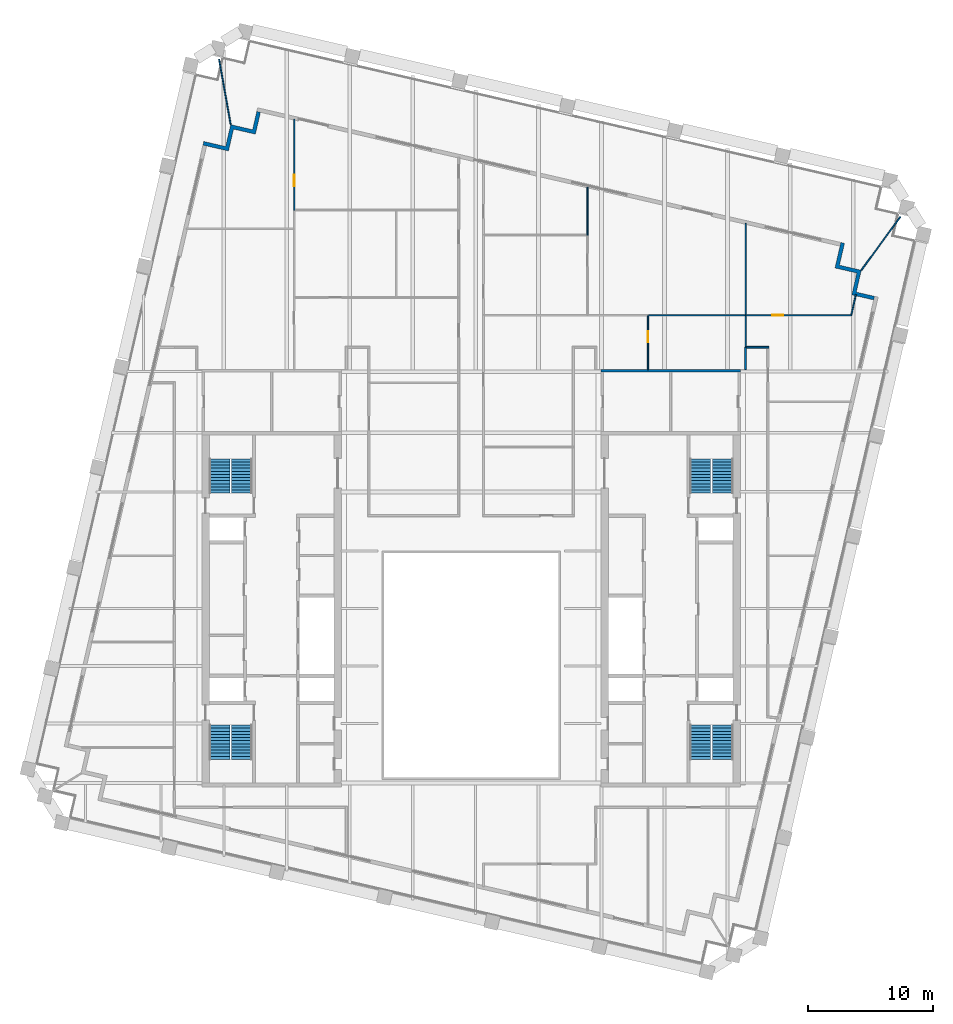
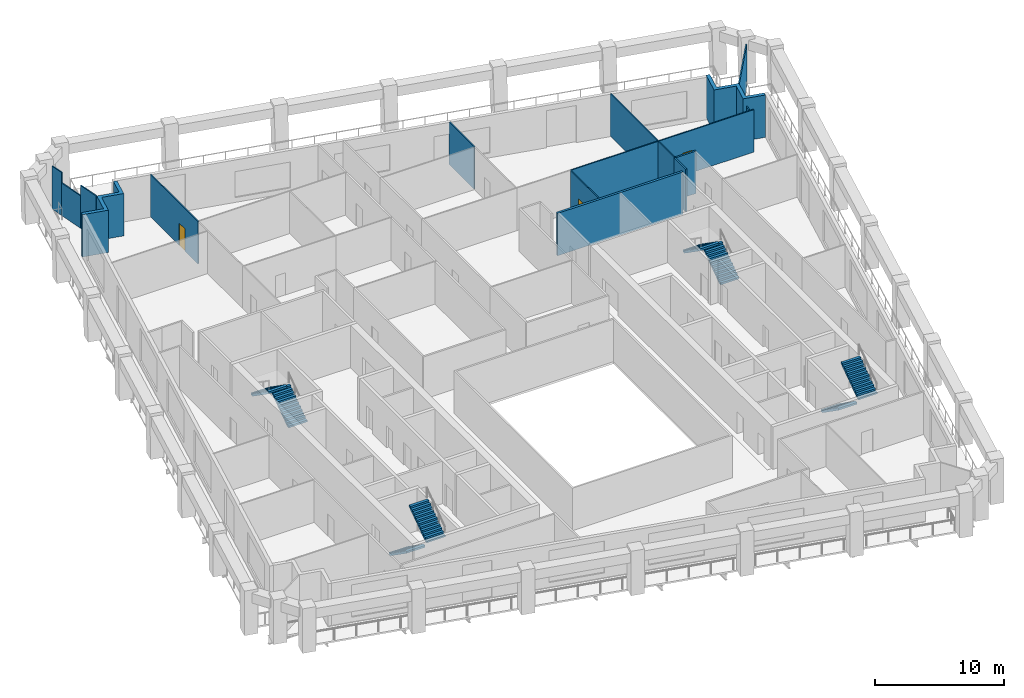
# One storey, part 9 of 10: 17 walls, 8 stair flights, 3 doors, 3 openings, 4 elements without a shape of their own.
"""IFC4 building model written with IfcOpenShell, lengths in metres."""

from ifc_helpers import new_model, si_unit, direction, frame, frame_2d, origin, place, context, subcontext, project, spatial, polyline, rectangle, outline, extrude, material, layer, layer_set, type_object, element, fill, aggregate, save


model = new_model("IFC4")

# Units and contexts
model_context = context("Model", 3, precision=1e-05, world=origin(), true_north=direction((0.0, 1.0)))
body_context = subcontext(model_context, "Body", "Model", "MODEL_VIEW")
ifc_project = project(units=[si_unit("LENGTHUNIT", "METRE"), si_unit("AREAUNIT", "SQUARE_METRE"), si_unit("VOLUMEUNIT", "CUBIC_METRE"), si_unit("PLANEANGLEUNIT", "RADIAN"), si_unit("MASSUNIT", "GRAM", prefix="KILO")], contexts=[model_context])

# Site, building, storey
site_placement = place(None, origin())
site = spatial("IfcSite", under=ifc_project, at=site_placement, CompositionType="ELEMENT")
building_placement = place(site_placement, origin())
building = spatial("IfcBuilding", under=site, at=building_placement, Name="Ogive Exchange Tower", CompositionType="ELEMENT")
storey_placement = place(building_placement, frame((0.0, 0.0, 272.39990234375)))
storey = spatial("IfcBuildingStorey", under=building, at=storey_placement, Name="L59", CompositionType="ELEMENT", Elevation=272.39990234375)

# Walls
ifc_material_1 = material(Name="Fire partition EI 60 150")
ifc_layer_1 = layer(ifc_material_1, 0.14990234375)
ifc_layer_set_1 = layer_set([ifc_layer_1], Name="Fire partition EI 60 150")
wall_type_1 = type_object("IfcWallType", Name="Fire partition EI 60 150", PredefinedType="PARTITIONING", material=ifc_layer_set_1)
wall_1_placement = place(storey_placement, frame((22.0, 30.699951171875, 0.0), z_axis=(0.0, 0.0, 1.0), x_axis=(0.0, 1.0, 0.0)))
element("IfcWall", 1, at=wall_1_placement, inside=storey, type_object=wall_type_1, Name="L59-PWL-058", PredefinedType="PARTITIONING", context=body_context, shape_type="SweptSolid", body=[
    extrude(rectangle(XDim=1.800048828125, YDim=0.14990234375, at=frame_2d((0.89990234375, 0.0))), origin(), (0.0, 0.0, 1.0), 4.0),
])
wall_2_placement = place(storey_placement, frame((21.97998046875, 32.5, 0.0), z_axis=(0.0, 0.0, 1.0), x_axis=(1.0, 0.0, 0.0)))
element("IfcWall", 2, at=wall_2_placement, inside=storey, type_object=wall_type_1, Name="L59-PWL-059", PredefinedType="PARTITIONING", context=body_context, shape_type="SweptSolid", body=[
    extrude(rectangle(XDim=1.89501953125, YDim=0.14990234375, at=frame_2d((0.947509765625, 0.0))), origin(), (0.0, 0.0, 1.0), 4.0),
])
ifc_material_2 = material(Name="Precast concrete C40/50", Category="concrete")
ifc_layer_2 = layer(ifc_material_2, 0.300048828125)
ifc_layer_set_2 = layer_set([ifc_layer_2], Name="Limestone-faced wall 300")
wall_type_2 = type_object("IfcWallType", Name="Limestone-faced wall 300", PredefinedType="STANDARD", material=ifc_layer_set_2)
wall_3_placement = place(storey_placement, origin())
element("IfcWall", 3, at=wall_3_placement, inside=storey, type_object=wall_type_2, Name="External corner wall C2", PredefinedType="STANDARD", context=body_context, shape_type="SweptSolid", body=[
    extrude(outline(polyline([(30.931396484375, 38.453369140625), (29.177490234375, 38.8583984375), (29.64990234375, 40.904541015625), (29.942138671875, 40.8369140625), (29.537109375, 39.0830078125), (31.291015625, 38.67822265625), (30.88623046875, 36.92431640625), (32.34765625, 36.5869140625), (32.2802734375, 36.294677734375), (30.5263671875, 36.699462890625), (30.931396484375, 38.453369140625)])), origin(), (0.0, 0.0, 1.0), 4.0),
])
wall_4_placement = place(storey_placement, origin())
element("IfcWall", 4, at=wall_4_placement, inside=storey, type_object=wall_type_2, Name="External corner wall C3", PredefinedType="STANDARD", context=body_context, shape_type="SweptSolid", body=[
    extrude(outline(polyline([(-21.5048828125, 48.7119140625), (-21.4375, 49.004150390625), (-19.68359375, 48.599365234375), (-19.27880859375, 50.353271484375), (-17.52490234375, 49.9482421875), (-17.1875, 51.409912109375), (-16.89501953125, 51.34228515625), (-17.300048828125, 49.58837890625), (-19.053955078125, 49.993408203125), (-19.458740234375, 48.239501953125), (-21.5048828125, 48.7119140625)])), origin(), (0.0, 0.0, 1.0), 4.0),
])
ifc_material_3 = material(Name="Laminated safety glass in steel frame", Category="steel")
ifc_layer_3 = layer(ifc_material_3, 0.10009765625)
ifc_layer_set_3 = layer_set([ifc_layer_3], Name="Loggia end screen 100")
wall_type_3 = type_object("IfcWallType", Name="Loggia end screen 100", PredefinedType="STANDARD", material=ifc_layer_set_3)
wall_5_placement = place(storey_placement, frame((31.291015625, 38.67822265625, -0.0498046875), z_axis=(0.0, 0.0, 1.0), x_axis=(0.589676569324, 0.807639488627, 0.0)))
element("IfcWall", 5, at=wall_5_placement, inside=storey, type_object=wall_type_3, Name="Loggia end screen C2", PredefinedType="STANDARD", context=body_context, shape_type="SweptSolid", body=[
    extrude(rectangle(XDim=5.3115234375, YDim=0.10009765625, at=frame_2d((2.65576171875, 0.0))), origin(), (0.0, 0.0, 1.0), 4.0498046875),
])
wall_6_placement = place(storey_placement, frame((-19.27880859375, 50.353271484375, -0.0498046875), z_axis=(0.0, 0.0, 1.0), x_axis=(-0.175817153202, 0.984422840369, 0.0)))
element("IfcWall", 6, at=wall_6_placement, inside=storey, type_object=wall_type_3, Name="Loggia end screen C3", PredefinedType="STANDARD", context=body_context, shape_type="SweptSolid", body=[
    extrude(rectangle(XDim=1.912109375, YDim=0.10009765625, at=frame_2d((0.9560546875, 0.0))), origin(), (0.0, 0.0, 1.0), 4.0498046875),
])
wall_7_placement = place(storey_placement, frame((-19.614990234375, 52.235595703125, -0.0498046875), z_axis=(0.0, 0.0, 1.0), x_axis=(-0.175887621159, 0.984410252244, 0.0)))
element("IfcWall", 7, at=wall_7_placement, inside=storey, type_object=wall_type_3, Name="Loggia end screen C3", PredefinedType="STANDARD", context=body_context, shape_type="SweptSolid", body=[
    extrude(rectangle(XDim=2.265380859375, YDim=0.10009765625, at=frame_2d((1.1328125, 0.0))), origin(), (0.0, 0.0, 1.0), 3.06982421875),
])
wall_8_placement = place(storey_placement, frame((-20.013427734375, 54.465576171875, -0.0498046875), z_axis=(0.0, 0.0, 1.0), x_axis=(-0.175909870516, 0.984406276623, 0.0)))
element("IfcWall", 8, at=wall_8_placement, inside=storey, type_object=wall_type_3, Name="Loggia end screen C3", PredefinedType="STANDARD", context=body_context, shape_type="SweptSolid", body=[
    extrude(rectangle(XDim=1.1337890625, YDim=0.10009765625, at=frame_2d((0.56689453125, 0.0))), origin(), (0.0, 0.0, 1.0), 4.0498046875),
])

# Wall, opening, door
ifc_material_4 = material(Name="Partition 100 gypsum")
ifc_layer_4 = layer(ifc_material_4, 0.10009765625)
ifc_layer_set_4 = layer_set([ifc_layer_4], Name="Partition 100 gypsum")
wall_type_4 = type_object("IfcWallType", Name="Partition 100 gypsum", PredefinedType="PARTITIONING", material=ifc_layer_set_4)
wall_9_placement = place(storey_placement, frame((-14.18994140625, 43.449951171875, 0.0), z_axis=(0.0, 0.0, 1.0), x_axis=(0.0, 1.0, 0.0)))
wall_9 = element("IfcWall", 9, at=wall_9_placement, inside=storey, type_object=wall_type_4, Name="L59-PWL-018", PredefinedType="PARTITIONING", context=body_context, shape_type="SweptSolid", body=[
    extrude(rectangle(XDim=7.35009765625, YDim=0.10009765625, at=frame_2d((3.675048828125, 0.0))), origin(), (0.0, 0.0, 1.0), 4.0),
])
opening_1_placement = place(wall_9_placement, frame((1.97998046875, 0.0, 0.0)))
opening_1 = element("IfcOpeningElement", 10, at=opening_1_placement, cuts=wall_9, Name="Opening L59-I20", PredefinedType="OPENING", context=body_context, shape_type="SweptSolid", body=[
    extrude(rectangle(XDim=0.89990234375, YDim=2.10009765625, at=frame_2d((0.449951171875, 1.050048828125))), frame((0.0, 0.06005859375, 0.0), z_axis=(0.0, -1.0, 0.0), x_axis=(1.0, 0.0, 0.0)), (0.0, 0.0, 1.0), 0.1201171875),
])
ifc_material_5 = material(Name="Door 900 x 2100")
door_type = type_object("IfcDoorType", Name="Door 900 x 2100", OperationType="NOTDEFINED", PredefinedType="DOOR", material=ifc_material_5)
door_1_placement = place(opening_1_placement, origin())
door_1 = element("IfcDoor", 11, at=door_1_placement, inside=storey, type_object=door_type, Name="L59-IDR-020", ObjectType="DT1", OperationType="SINGLE_SWING_RIGHT", OverallHeight=2.10009765625, OverallWidth=0.89990234375, PredefinedType="DOOR", context=body_context, shape_type="SweptSolid", body=[
    extrude(rectangle(XDim=0.89990234375, YDim=2.10009765625, at=frame_2d((0.449951171875, 1.050048828125))), frame((0.0, 0.02490234375, 0.0), z_axis=(0.0, -1.0, 0.0), x_axis=(1.0, 0.0, 0.0)), (0.0, 0.0, 1.0), 0.050048828125),
])
fill(opening_1, door_1)

# Wall
wall_10_placement = place(storey_placement, frame((9.340087890625, 41.5, 0.0), z_axis=(0.0, 0.0, 1.0), x_axis=(0.0, 1.0, 0.0)))
element("IfcWall", 12, at=wall_10_placement, inside=storey, type_object=wall_type_4, Name="L59-PWL-050", PredefinedType="PARTITIONING", context=body_context, shape_type="SweptSolid", body=[
    extrude(rectangle(XDim=3.867919921875, YDim=0.10009765625, at=frame_2d((1.93408203125, 0.0))), origin(), (0.0, 0.0, 1.0), 4.0),
])

# Wall, opening, door
wall_11_placement = place(storey_placement, frame((14.18994140625, 35.02001953125, 0.0), z_axis=(0.0, 0.0, 1.0), x_axis=(0.0, -1.0, 0.0)))
wall_11 = element("IfcWall", 13, at=wall_11_placement, inside=storey, type_object=wall_type_4, Name="L59-PWL-057", PredefinedType="PARTITIONING", context=body_context, shape_type="SweptSolid", body=[
    extrude(rectangle(XDim=4.320068359375, YDim=0.10009765625, at=frame_2d((2.16015625, 0.0))), origin(), (0.0, 0.0, 1.0), 4.0),
])
opening_2_placement = place(wall_11_placement, frame((1.219970703125, 0.0, 0.0)))
opening_2 = element("IfcOpeningElement", 14, at=opening_2_placement, cuts=wall_11, Name="Opening L59-I06", PredefinedType="OPENING", context=body_context, shape_type="SweptSolid", body=[
    extrude(rectangle(XDim=0.89990234375, YDim=2.10009765625, at=frame_2d((0.449951171875, 1.050048828125))), frame((0.0, 0.06005859375, 0.0), z_axis=(0.0, -1.0, 0.0), x_axis=(1.0, 0.0, 0.0)), (0.0, 0.0, 1.0), 0.1201171875),
])
door_2_placement = place(opening_2_placement, origin())
door_2 = element("IfcDoor", 15, at=door_2_placement, inside=storey, type_object=door_type, Name="L59-IDR-006", ObjectType="DT1", OperationType="SINGLE_SWING_RIGHT", OverallHeight=2.10009765625, OverallWidth=0.89990234375, PredefinedType="DOOR", context=body_context, shape_type="SweptSolid", body=[
    extrude(rectangle(XDim=0.89990234375, YDim=2.10009765625, at=frame_2d((0.449951171875, 1.050048828125))), frame((0.0, 0.02490234375, 0.0), z_axis=(0.0, -1.0, 0.0), x_axis=(1.0, 0.0, 0.0)), (0.0, 0.0, 1.0), 0.050048828125),
])
fill(opening_2, door_2)

# Walls
wall_12_placement = place(storey_placement, frame((21.97998046875, 35.070068359375, 0.0), z_axis=(0.0, 0.0, 1.0), x_axis=(-1.0, 0.0, 0.0)))
element("IfcWall", 16, at=wall_12_placement, inside=storey, type_object=wall_type_4, Name="L59-PWL-060", PredefinedType="PARTITIONING", context=body_context, shape_type="SweptSolid", body=[
    extrude(rectangle(XDim=7.7900390625, YDim=0.10009765625, at=frame_2d((3.89501953125, 0.0))), origin(), (0.0, 0.0, 1.0), 4.0),
])
wall_13_placement = place(storey_placement, frame((22.030029296875, 35.02001953125, 0.0), z_axis=(0.0, 0.0, 1.0), x_axis=(0.0, -1.0, 0.0)))
element("IfcWall", 17, at=wall_13_placement, inside=storey, type_object=wall_type_4, Name="L59-PWL-061", PredefinedType="PARTITIONING", context=body_context, shape_type="SweptSolid", body=[
    extrude(rectangle(XDim=2.445068359375, YDim=0.10009765625, at=frame_2d((1.22265625, 0.0))), origin(), (0.0, 0.0, 1.0), 4.0),
])

# Wall, opening, door
wall_14_placement = place(storey_placement, frame((21.97998046875, 35.070068359375, 0.0), z_axis=(0.0, 0.0, 1.0), x_axis=(1.0, 0.0, 0.0)))
wall_14 = element("IfcWall", 18, at=wall_14_placement, inside=storey, type_object=wall_type_4, Name="L59-PWL-062", PredefinedType="PARTITIONING", context=body_context, shape_type="SweptSolid", body=[
    extrude(rectangle(XDim=8.550048828125, YDim=0.10009765625, at=frame_2d((4.27490234375, 0.0))), origin(), (0.0, 0.0, 1.0), 4.0),
])
opening_3_placement = place(wall_14_placement, frame((2.14990234375, 0.0, 0.0)))
opening_3 = element("IfcOpeningElement", 19, at=opening_3_placement, cuts=wall_14, Name="Opening L59-I13", PredefinedType="OPENING", context=body_context, shape_type="SweptSolid", body=[
    extrude(rectangle(XDim=0.89990234375, YDim=2.10009765625, at=frame_2d((0.449951171875, 1.050048828125))), frame((0.0, 0.06005859375, 0.0), z_axis=(0.0, -1.0, 0.0), x_axis=(1.0, 0.0, 0.0)), (0.0, 0.0, 1.0), 0.1201171875),
])
door_3_placement = place(opening_3_placement, origin())
door_3 = element("IfcDoor", 20, at=door_3_placement, inside=storey, type_object=door_type, Name="L59-IDR-013", ObjectType="DT1", OperationType="SINGLE_SWING_RIGHT", OverallHeight=2.10009765625, OverallWidth=0.89990234375, PredefinedType="DOOR", context=body_context, shape_type="SweptSolid", body=[
    extrude(rectangle(XDim=0.89990234375, YDim=2.10009765625, at=frame_2d((0.449951171875, 1.050048828125))), frame((0.0, 0.02490234375, 0.0), z_axis=(0.0, -1.0, 0.0), x_axis=(1.0, 0.0, 0.0)), (0.0, 0.0, 1.0), 0.050048828125),
])
fill(opening_3, door_3)

# Walls
wall_15_placement = place(storey_placement, frame((22.030029296875, 42.43798828125, 0.0), z_axis=(0.0, 0.0, 1.0), x_axis=(0.0, -1.0, 0.0)))
element("IfcWall", 21, at=wall_15_placement, inside=storey, type_object=wall_type_4, Name="L59-PWL-063", PredefinedType="PARTITIONING", context=body_context, shape_type="SweptSolid", body=[
    extrude(rectangle(XDim=7.31787109375, YDim=0.10009765625, at=frame_2d((3.658935546875, 0.0))), origin(), (0.0, 0.0, 1.0), 4.0),
])
wall_16_placement = place(storey_placement, frame((30.490966796875, 35.118896484375, 0.0), z_axis=(0.0, 0.0, 1.0), x_axis=(0.221461033886, 0.975169221453, 0.0)))
element("IfcWall", 22, at=wall_16_placement, inside=storey, type_object=wall_type_4, Name="L59-PWL-071", PredefinedType="PARTITIONING", context=body_context, shape_type="SweptSolid", body=[
    extrude(rectangle(XDim=1.648193359375, YDim=0.10009765625, at=frame_2d((0.82421875, 0.0))), origin(), (0.0, 0.0, 1.0), 3.24609375),
])
ifc_material_6 = material(Name="Concrete C70/85", Category="concrete")
ifc_layer_5 = layer(ifc_material_6, 0.199951171875)
ifc_layer_set_5 = layer_set([ifc_layer_5], Name="RC core wall 200 C70/85")
wall_type_5 = type_object("IfcWallType", Name="RC core wall 200 C70/85", PredefinedType="SHEAR", material=ifc_layer_set_5)
wall_17_placement = place(storey_placement, frame((10.39990234375, 30.60009765625, 0.0), z_axis=(0.0, 0.0, 1.0), x_axis=(1.0, 0.0, 0.0)))
element("IfcWall", 23, at=wall_17_placement, inside=storey, type_object=wall_type_5, Name="E annex N end wall", PredefinedType="SHEAR", context=body_context, shape_type="SweptSolid", body=[
    extrude(rectangle(XDim=11.2001953125, YDim=0.199951171875, at=frame_2d((5.60009765625, 0.0))), origin(), (0.0, 0.0, 1.0), 4.0),
])

# Stair, stair flights
ifc_material_7 = material(Name="Concrete C40/50", Category="concrete")
stair_type = type_object("IfcStairType", Name="Exit stair 1650 wide", PredefinedType="HALF_TURN_STAIR", material=ifc_material_7)
stair_1_placement = place(storey_placement, origin())
stair_1 = element("IfcStair", 24, at=stair_1_placement, inside=storey, type_object=stair_type, Name="L59 exit stair ST1", PredefinedType="HALF_TURN_STAIR")
stair_flight_type = type_object("IfcStairFlightType", Name="Stair flight 1650 wide", PredefinedType="STRAIGHT", material=ifc_material_7)
stair_flight_1_placement = place(storey_placement, frame((-20.175048828125, 2.199951171875, 0.0), z_axis=(0.0, 0.0, 1.0), x_axis=(0.0, -1.0, 0.0)))
stair_flight_1 = element("IfcStairFlight", 25, at=stair_flight_1_placement, type_object=stair_flight_type, Name="ST1 flight 1", NumberOfRisers=12, NumberOfTreads=11, PredefinedType="STRAIGHT", RiserHeight=0.175, TreadLength=0.25, context=body_context, shape_type="SweptSolid", body=[
    extrude(outline(polyline([(0.0, 0.0), (0.0, 0.175048828125), (0.25, 0.175048828125), (0.25, 0.35009765625), (0.5, 0.35009765625), (0.5, 0.52490234375), (0.75, 0.52490234375), (0.75, 0.699951171875), (1.0, 0.699951171875), (1.0, 0.875), (1.25, 0.875), (1.25, 1.050048828125), (1.5, 1.050048828125), (1.5, 1.22509765625), (1.75, 1.22509765625), (1.75, 1.39990234375), (2.0, 1.39990234375), (2.0, 1.574951171875), (2.25, 1.574951171875), (2.25, 1.75), (2.5, 1.75), (2.5, 1.925048828125), (2.75, 1.925048828125), (2.75, 2.10009765625), (2.75, 1.741943359375), (0.261474609375, 0.0), (0.0, 0.0)])), frame((0.0, 0.824951171875, 0.0), z_axis=(0.0, -1.0, 0.0), x_axis=(1.0, 0.0, 0.0)), (0.0, 0.0, 1.0), 1.64990234375),
])
stair_flight_2_placement = place(storey_placement, frame((-18.375, -0.550048828125, 2.10009765625), z_axis=(0.0, 0.0, 1.0), x_axis=(0.0, 1.0, 0.0)))
stair_flight_2 = element("IfcStairFlight", 26, at=stair_flight_2_placement, type_object=stair_flight_type, Name="ST1 flight 2", NumberOfRisers=12, NumberOfTreads=11, PredefinedType="STRAIGHT", RiserHeight=0.175, TreadLength=0.25, context=body_context, shape_type="SweptSolid", body=[
    extrude(outline(polyline([(0.0, 0.0), (0.0, 0.175048828125), (0.25, 0.175048828125), (0.25, 0.35009765625), (0.5, 0.35009765625), (0.5, 0.52490234375), (0.75, 0.52490234375), (0.75, 0.699951171875), (1.0, 0.699951171875), (1.0, 0.875), (1.25, 0.875), (1.25, 1.050048828125), (1.5, 1.050048828125), (1.5, 1.22509765625), (1.75, 1.22509765625), (1.75, 1.39990234375), (2.0, 1.39990234375), (2.0, 1.574951171875), (2.25, 1.574951171875), (2.25, 1.75), (2.5, 1.75), (2.5, 1.925048828125), (2.75, 1.925048828125), (2.75, 2.10009765625), (2.75, 1.741943359375), (0.261474609375, 0.0), (0.0, 0.0)])), frame((0.0, 0.824951171875, 0.0), z_axis=(0.0, -1.0, 0.0), x_axis=(1.0, 0.0, 0.0)), (0.0, 0.0, 1.0), 1.64990234375),
])
aggregate(stair_1, [stair_flight_1, stair_flight_2])

stair_2_placement = place(storey_placement, origin())
stair_2 = element("IfcStair", 27, at=stair_2_placement, inside=storey, type_object=stair_type, Name="L59 exit stair ST2", PredefinedType="HALF_TURN_STAIR")
stair_flight_3_placement = place(storey_placement, frame((-18.375, 20.800048828125, 0.0), z_axis=(0.0, 0.0, 1.0), x_axis=(0.0, 1.0, 0.0)))
stair_flight_3 = element("IfcStairFlight", 28, at=stair_flight_3_placement, type_object=stair_flight_type, Name="ST2 flight 1", NumberOfRisers=12, NumberOfTreads=11, PredefinedType="STRAIGHT", RiserHeight=0.175, TreadLength=0.25, context=body_context, shape_type="SweptSolid", body=[
    extrude(outline(polyline([(0.0, 0.0), (0.0, 0.175048828125), (0.25, 0.175048828125), (0.25, 0.35009765625), (0.5, 0.35009765625), (0.5, 0.52490234375), (0.75, 0.52490234375), (0.75, 0.699951171875), (1.0, 0.699951171875), (1.0, 0.875), (1.25, 0.875), (1.25, 1.050048828125), (1.5, 1.050048828125), (1.5, 1.22509765625), (1.75, 1.22509765625), (1.75, 1.39990234375), (2.0, 1.39990234375), (2.0, 1.574951171875), (2.25, 1.574951171875), (2.25, 1.75), (2.5, 1.75), (2.5, 1.925048828125), (2.75, 1.925048828125), (2.75, 2.10009765625), (2.75, 1.741943359375), (0.261474609375, 0.0), (0.0, 0.0)])), frame((0.0, 0.824951171875, 0.0), z_axis=(0.0, -1.0, 0.0), x_axis=(1.0, 0.0, 0.0)), (0.0, 0.0, 1.0), 1.64990234375),
])
stair_flight_4_placement = place(storey_placement, frame((-20.175048828125, 23.550048828125, 2.10009765625), z_axis=(0.0, 0.0, 1.0), x_axis=(0.0, -1.0, 0.0)))
stair_flight_4 = element("IfcStairFlight", 29, at=stair_flight_4_placement, type_object=stair_flight_type, Name="ST2 flight 2", NumberOfRisers=12, NumberOfTreads=11, PredefinedType="STRAIGHT", RiserHeight=0.175, TreadLength=0.25, context=body_context, shape_type="SweptSolid", body=[
    extrude(outline(polyline([(0.0, 0.0), (0.0, 0.175048828125), (0.25, 0.175048828125), (0.25, 0.35009765625), (0.5, 0.35009765625), (0.5, 0.52490234375), (0.75, 0.52490234375), (0.75, 0.699951171875), (1.0, 0.699951171875), (1.0, 0.875), (1.25, 0.875), (1.25, 1.050048828125), (1.5, 1.050048828125), (1.5, 1.22509765625), (1.75, 1.22509765625), (1.75, 1.39990234375), (2.0, 1.39990234375), (2.0, 1.574951171875), (2.25, 1.574951171875), (2.25, 1.75), (2.5, 1.75), (2.5, 1.925048828125), (2.75, 1.925048828125), (2.75, 2.10009765625), (2.75, 1.741943359375), (0.261474609375, 0.0), (0.0, 0.0)])), frame((0.0, 0.824951171875, 0.0), z_axis=(0.0, -1.0, 0.0), x_axis=(1.0, 0.0, 0.0)), (0.0, 0.0, 1.0), 1.64990234375),
])
aggregate(stair_2, [stair_flight_3, stair_flight_4])

stair_3_placement = place(storey_placement, origin())
stair_3 = element("IfcStair", 30, at=stair_3_placement, inside=storey, type_object=stair_type, Name="L59 exit stair ST3", PredefinedType="HALF_TURN_STAIR")
stair_flight_5_placement = place(storey_placement, frame((18.375, 2.199951171875, 0.0), z_axis=(0.0, 0.0, 1.0), x_axis=(0.0, -1.0, 0.0)))
stair_flight_5 = element("IfcStairFlight", 31, at=stair_flight_5_placement, type_object=stair_flight_type, Name="ST3 flight 1", NumberOfRisers=12, NumberOfTreads=11, PredefinedType="STRAIGHT", RiserHeight=0.175, TreadLength=0.25, context=body_context, shape_type="SweptSolid", body=[
    extrude(outline(polyline([(0.0, 0.0), (0.0, 0.175048828125), (0.25, 0.175048828125), (0.25, 0.35009765625), (0.5, 0.35009765625), (0.5, 0.52490234375), (0.75, 0.52490234375), (0.75, 0.699951171875), (1.0, 0.699951171875), (1.0, 0.875), (1.25, 0.875), (1.25, 1.050048828125), (1.5, 1.050048828125), (1.5, 1.22509765625), (1.75, 1.22509765625), (1.75, 1.39990234375), (2.0, 1.39990234375), (2.0, 1.574951171875), (2.25, 1.574951171875), (2.25, 1.75), (2.5, 1.75), (2.5, 1.925048828125), (2.75, 1.925048828125), (2.75, 2.10009765625), (2.75, 1.741943359375), (0.261474609375, 0.0), (0.0, 0.0)])), frame((0.0, 0.824951171875, 0.0), z_axis=(0.0, -1.0, 0.0), x_axis=(1.0, 0.0, 0.0)), (0.0, 0.0, 1.0), 1.64990234375),
])
stair_flight_6_placement = place(storey_placement, frame((20.175048828125, -0.550048828125, 2.10009765625), z_axis=(0.0, 0.0, 1.0), x_axis=(0.0, 1.0, 0.0)))
stair_flight_6 = element("IfcStairFlight", 32, at=stair_flight_6_placement, type_object=stair_flight_type, Name="ST3 flight 2", NumberOfRisers=12, NumberOfTreads=11, PredefinedType="STRAIGHT", RiserHeight=0.175, TreadLength=0.25, context=body_context, shape_type="SweptSolid", body=[
    extrude(outline(polyline([(0.0, 0.0), (0.0, 0.175048828125), (0.25, 0.175048828125), (0.25, 0.35009765625), (0.5, 0.35009765625), (0.5, 0.52490234375), (0.75, 0.52490234375), (0.75, 0.699951171875), (1.0, 0.699951171875), (1.0, 0.875), (1.25, 0.875), (1.25, 1.050048828125), (1.5, 1.050048828125), (1.5, 1.22509765625), (1.75, 1.22509765625), (1.75, 1.39990234375), (2.0, 1.39990234375), (2.0, 1.574951171875), (2.25, 1.574951171875), (2.25, 1.75), (2.5, 1.75), (2.5, 1.925048828125), (2.75, 1.925048828125), (2.75, 2.10009765625), (2.75, 1.741943359375), (0.261474609375, 0.0), (0.0, 0.0)])), frame((0.0, 0.824951171875, 0.0), z_axis=(0.0, -1.0, 0.0), x_axis=(1.0, 0.0, 0.0)), (0.0, 0.0, 1.0), 1.64990234375),
])
aggregate(stair_3, [stair_flight_5, stair_flight_6])

stair_4_placement = place(storey_placement, origin())
stair_4 = element("IfcStair", 33, at=stair_4_placement, inside=storey, type_object=stair_type, Name="L59 exit stair ST4", PredefinedType="HALF_TURN_STAIR")
stair_flight_7_placement = place(storey_placement, frame((20.175048828125, 20.800048828125, 0.0), z_axis=(0.0, 0.0, 1.0), x_axis=(0.0, 1.0, 0.0)))
stair_flight_7 = element("IfcStairFlight", 34, at=stair_flight_7_placement, type_object=stair_flight_type, Name="ST4 flight 1", NumberOfRisers=12, NumberOfTreads=11, PredefinedType="STRAIGHT", RiserHeight=0.175, TreadLength=0.25, context=body_context, shape_type="SweptSolid", body=[
    extrude(outline(polyline([(0.0, 0.0), (0.0, 0.175048828125), (0.25, 0.175048828125), (0.25, 0.35009765625), (0.5, 0.35009765625), (0.5, 0.52490234375), (0.75, 0.52490234375), (0.75, 0.699951171875), (1.0, 0.699951171875), (1.0, 0.875), (1.25, 0.875), (1.25, 1.050048828125), (1.5, 1.050048828125), (1.5, 1.22509765625), (1.75, 1.22509765625), (1.75, 1.39990234375), (2.0, 1.39990234375), (2.0, 1.574951171875), (2.25, 1.574951171875), (2.25, 1.75), (2.5, 1.75), (2.5, 1.925048828125), (2.75, 1.925048828125), (2.75, 2.10009765625), (2.75, 1.741943359375), (0.261474609375, 0.0), (0.0, 0.0)])), frame((0.0, 0.824951171875, 0.0), z_axis=(0.0, -1.0, 0.0), x_axis=(1.0, 0.0, 0.0)), (0.0, 0.0, 1.0), 1.64990234375),
])
stair_flight_8_placement = place(storey_placement, frame((18.375, 23.550048828125, 2.10009765625), z_axis=(0.0, 0.0, 1.0), x_axis=(0.0, -1.0, 0.0)))
stair_flight_8 = element("IfcStairFlight", 35, at=stair_flight_8_placement, type_object=stair_flight_type, Name="ST4 flight 2", NumberOfRisers=12, NumberOfTreads=11, PredefinedType="STRAIGHT", RiserHeight=0.175, TreadLength=0.25, context=body_context, shape_type="SweptSolid", body=[
    extrude(outline(polyline([(0.0, 0.0), (0.0, 0.175048828125), (0.25, 0.175048828125), (0.25, 0.35009765625), (0.5, 0.35009765625), (0.5, 0.52490234375), (0.75, 0.52490234375), (0.75, 0.699951171875), (1.0, 0.699951171875), (1.0, 0.875), (1.25, 0.875), (1.25, 1.050048828125), (1.5, 1.050048828125), (1.5, 1.22509765625), (1.75, 1.22509765625), (1.75, 1.39990234375), (2.0, 1.39990234375), (2.0, 1.574951171875), (2.25, 1.574951171875), (2.25, 1.75), (2.5, 1.75), (2.5, 1.925048828125), (2.75, 1.925048828125), (2.75, 2.10009765625), (2.75, 1.741943359375), (0.261474609375, 0.0), (0.0, 0.0)])), frame((0.0, 0.824951171875, 0.0), z_axis=(0.0, -1.0, 0.0), x_axis=(1.0, 0.0, 0.0)), (0.0, 0.0, 1.0), 1.64990234375),
])
aggregate(stair_4, [stair_flight_7, stair_flight_8])

save(model, "model.ifc")
